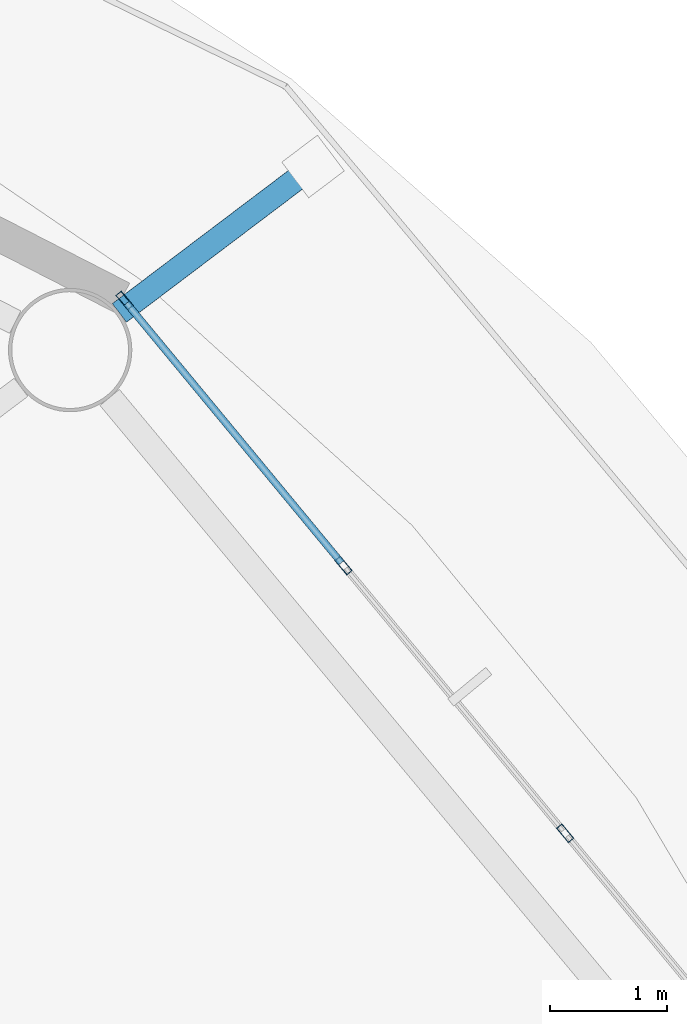
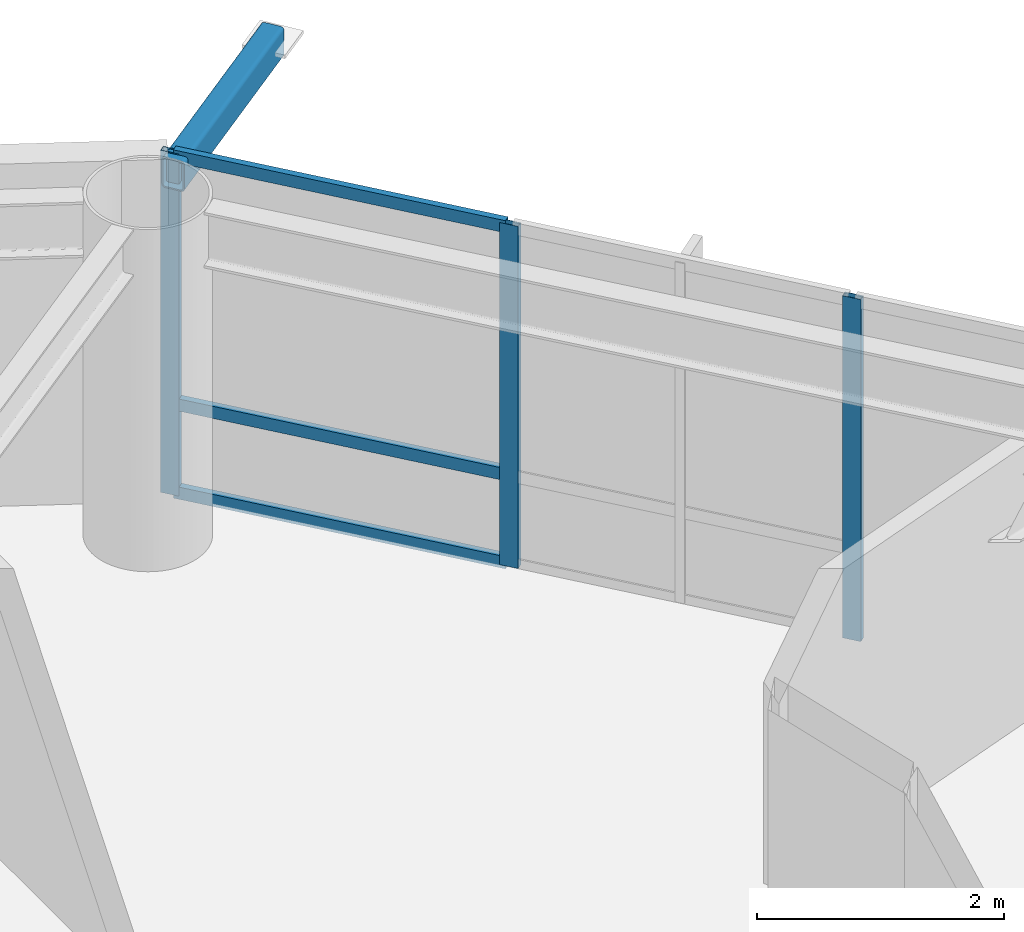
# One storey, part 15 of 28: 7 members, 1 element without a shape of its own.
"""IFC4 building model written with IfcOpenShell, lengths in metres."""

from ifc_helpers import new_model, si_unit, direction, frame, origin, origin_2d, place, context, subcontext, project, spatial, hollow_rectangle, extrude, material, layer, layer_set, material_profile, profile_set, type_object, element, aggregate, save


model = new_model("IFC4")

# Units and contexts
model_context = context("Model", 3, precision=1e-05, world=origin(), true_north=direction((0.0, 1.0)))
body_context = subcontext(model_context, "Body", "Model", "MODEL_VIEW")
ifc_project = project(units=[si_unit("LENGTHUNIT", "METRE"), si_unit("AREAUNIT", "SQUARE_METRE"), si_unit("VOLUMEUNIT", "CUBIC_METRE"), si_unit("PLANEANGLEUNIT", "RADIAN"), si_unit("MASSUNIT", "GRAM", prefix="KILO")], contexts=[model_context])

# Site, building, storey
site_placement = place(None, origin())
site = spatial("IfcSite", under=ifc_project, at=site_placement, CompositionType="ELEMENT")
building_placement = place(site_placement, origin())
building = spatial("IfcBuilding", under=site, at=building_placement, Name="Sarneth Arch Tower", CompositionType="ELEMENT")
storey_placement = place(building_placement, frame((0.0, 0.0, 154.199951171875)))
storey = spatial("IfcBuildingStorey", under=building, at=storey_placement, Name="L38", CompositionType="ELEMENT", Elevation=154.199951171875)

# Curtain wall, members
ifc_material_1 = material(Name="Anodised aluminium Type AA25 and solar-control low-e laminated IGU", Category="aluminium")
ifc_layer = layer(ifc_material_1, 0.169921875)
ifc_layer_set = layer_set([ifc_layer], Name="Anodised aluminium Type AA25 and solar-control low-e laminated IGU")
curtain_wall_type = type_object("IfcCurtainWallType", Name="CW-RES-MID", PredefinedType="NOTDEFINED", material=ifc_layer_set)
curtain_wall_placement = place(storey_placement, origin())
curtain_wall = element("IfcCurtainWall", 1, at=curtain_wall_placement, inside=storey, type_object=curtain_wall_type, Name="L38 Unitised curtain wall facet 02", PredefinedType="NOTDEFINED")
ifc_material_2 = material(Name="Anodised Aluminium 6063-T6", Category="aluminium")
ifc_material_profile_1 = material_profile(ifc_material_2, hollow_rectangle(XDim=0.06005859375, YDim=0.159912109375, WallThickness=0.00390625, at=origin_2d()), Name="AL-MULL-160x60x4")
ifc_profile_set_1 = profile_set([ifc_material_profile_1], Name="Anodised Aluminium 6063-T6")
member_type_1 = type_object("IfcMemberType", Name="CW-MULLION", PredefinedType="MULLION", material=ifc_profile_set_1)
member_1_placement = place(storey_placement, frame((71.346923828125, 52.3466796875, 0.0), z_axis=(0.0, 0.0, 1.0), x_axis=(-0.770590741276, -0.637330298558, 0.0)))
member_1 = element("IfcMember", 2, at=member_1_placement, type_object=member_type_1, Name="CW-SYS-5 mullion 2", PredefinedType="MULLION", context=body_context, shape_type="SweptSolid", body=[
    extrude(hollow_rectangle(XDim=0.06005859375, YDim=0.159912109375, WallThickness=0.00390625, at=origin_2d()), origin(), (0.0, 0.0, 1.0), 3.380126953125),
])
member_2_placement = place(storey_placement, frame((69.46142578125, 54.626220703125, 0.0), z_axis=(0.0, 0.0, 1.0), x_axis=(-0.770590741276, -0.637330298558, 0.0)))
member_2 = element("IfcMember", 3, at=member_2_placement, type_object=member_type_1, Name="CW-SYS-5 mullion 3", PredefinedType="MULLION", context=body_context, shape_type="SweptSolid", body=[
    extrude(hollow_rectangle(XDim=0.06005859375, YDim=0.159912109375, WallThickness=0.00390625, at=origin_2d()), origin(), (0.0, 0.0, 1.0), 3.380126953125),
])
member_3_placement = place(storey_placement, frame((67.59521484375, 56.8828125, 0.0), z_axis=(0.0, 0.0, 1.0), x_axis=(-0.770590741276, -0.637330298558, 0.0)))
member_3 = element("IfcMember", 4, at=member_3_placement, type_object=member_type_1, Name="CW-SYS-5 mullion 4", PredefinedType="MULLION", context=body_context, shape_type="SweptSolid", body=[
    extrude(hollow_rectangle(XDim=0.06005859375, YDim=0.159912109375, WallThickness=0.00390625, at=origin_2d()), origin(), (0.0, 0.0, 1.0), 3.380126953125),
])
ifc_material_3 = material(Name="Anodised Aluminium 6063-T6", Category="aluminium")
ifc_material_profile_2 = material_profile(ifc_material_3, hollow_rectangle(XDim=0.06005859375, YDim=0.1201171875, WallThickness=0.00390625, at=origin_2d()), Name="AL-TRAN-120x60x4")
ifc_profile_set_2 = profile_set([ifc_material_profile_2], Name="Anodised Aluminium 6063-T6")
member_type_2 = type_object("IfcMemberType", Name="CW-TRANSOM", PredefinedType="USERDEFINED", material=ifc_profile_set_2)
member_4_placement = place(storey_placement, frame((69.4423828125, 54.6494140625, 0.030029296875), z_axis=(-0.637358651504, 0.770567290607, 0.0), x_axis=(-0.770567290607, -0.637358651504, 0.0)))
member_4 = element("IfcMember", 5, at=member_4_placement, type_object=member_type_2, Name="CW-SYS-5 transom 3.1", ObjectType="TRANSOM", PredefinedType="USERDEFINED", context=body_context, shape_type="SweptSolid", body=[
    extrude(hollow_rectangle(XDim=0.06005859375, YDim=0.1201171875, WallThickness=0.00390625, at=origin_2d()), origin(), (0.0, 0.0, 1.0), 2.8681640625),
])
member_5_placement = place(storey_placement, frame((69.4423828125, 54.6494140625, 0.900146484375), z_axis=(-0.637358651504, 0.770567290607, 0.0), x_axis=(-0.770567290607, -0.637358651504, 0.0)))
member_5 = element("IfcMember", 6, at=member_5_placement, type_object=member_type_2, Name="CW-SYS-5 transom 3.2", ObjectType="TRANSOM", PredefinedType="USERDEFINED", context=body_context, shape_type="SweptSolid", body=[
    extrude(hollow_rectangle(XDim=0.06005859375, YDim=0.1201171875, WallThickness=0.00390625, at=origin_2d()), origin(), (0.0, 0.0, 1.0), 2.8681640625),
])
member_6_placement = place(storey_placement, frame((69.4423828125, 54.6494140625, 3.35009765625), z_axis=(-0.637358651504, 0.770567290607, 0.0), x_axis=(-0.770567290607, -0.637358651504, 0.0)))
member_6 = element("IfcMember", 7, at=member_6_placement, type_object=member_type_2, Name="CW-SYS-5 transom 3.3", ObjectType="TRANSOM", PredefinedType="USERDEFINED", context=body_context, shape_type="SweptSolid", body=[
    extrude(hollow_rectangle(XDim=0.06005859375, YDim=0.1201171875, WallThickness=0.00390625, at=origin_2d()), origin(), (0.0, 0.0, 1.0), 2.8681640625),
])
aggregate(curtain_wall, [member_1, member_2, member_3, member_4, member_5, member_6])

# Member
ifc_material_4 = material(Name="Steel S355", Category="steel")
ifc_material_profile_3 = material_profile(ifc_material_4, hollow_rectangle(XDim=0.199951171875, YDim=0.300048828125, WallThickness=0.012451171875, InnerFilletRadius=0.018798828125, OuterFilletRadius=0.03125, at=origin_2d()), Name="RHS300x200x12.5")
ifc_profile_set_3 = profile_set([ifc_material_profile_3], Name="Steel S355")
member_type_3 = type_object("IfcMemberType", Name="MEM-CANT-STRUT", PredefinedType="STRUT", material=ifc_profile_set_3)
member_7_placement = place(storey_placement, frame((67.552734375, 56.77685546875, 3.219970703125), z_axis=(0.797768823722, 0.602963434959, 0.0), x_axis=(-0.602963434959, 0.797768823722, 0.0)))
element("IfcMember", 8, at=member_7_placement, inside=storey, type_object=member_type_3, Name="L38 Balcony cantilever bracket 03", PredefinedType="STRUT", context=body_context, shape_type="SweptSolid", body=[
    extrude(hollow_rectangle(XDim=0.199951171875, YDim=0.300048828125, WallThickness=0.012451171875, InnerFilletRadius=0.018798828125, OuterFilletRadius=0.03125, at=origin_2d()), origin(), (0.0, 0.0, 1.0), 2.066650390625),
])

save(model, "model.ifc")
